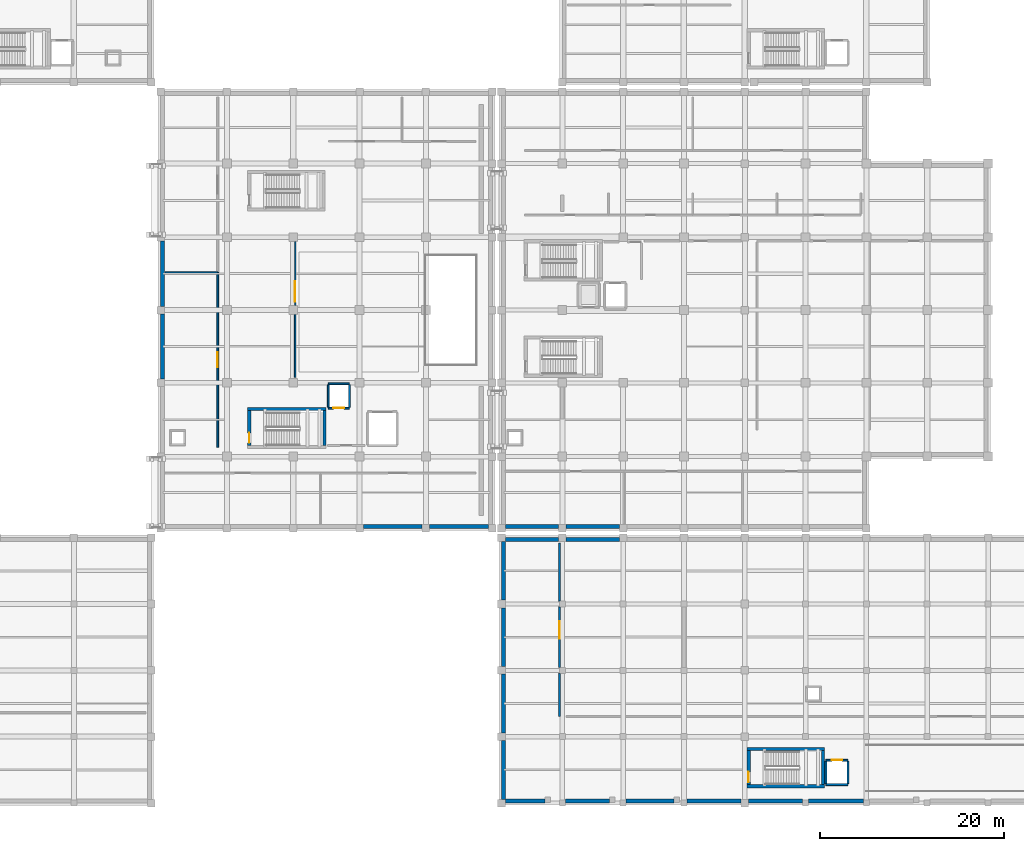
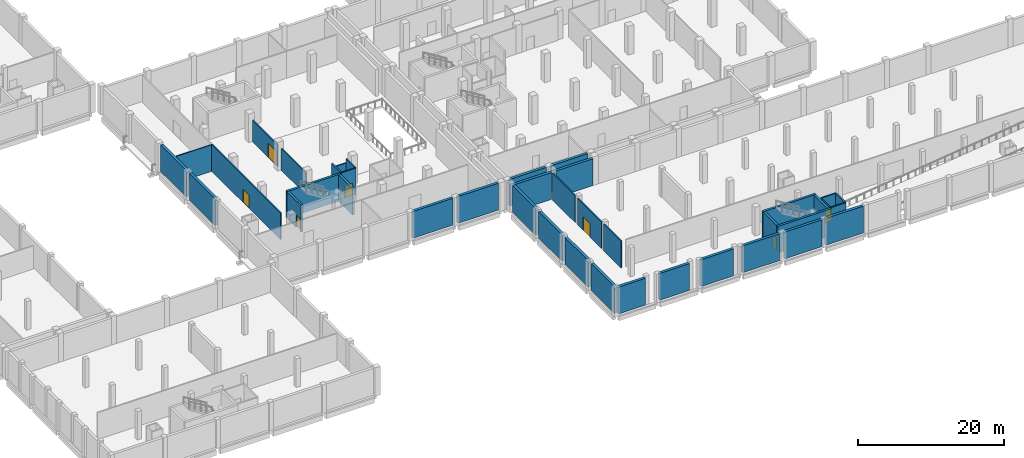
# One storey, part 13 of 31: 40 walls, 7 doors, 7 openings.
"""IFC4 building model written with IfcOpenShell, lengths in metres."""

from ifc_helpers import new_model, si_unit, direction, frame, frame_2d, origin, place, context, subcontext, project, spatial, rectangle, extrude, material, layer, layer_set, type_object, element, fill, save


model = new_model("IFC4")

# Units and contexts
model_context = context("Model", 3, precision=1e-05, world=origin(), true_north=direction((0.0, 1.0)))
body_context = subcontext(model_context, "Body", "Model", "MODEL_VIEW")
ifc_project = project(units=[si_unit("LENGTHUNIT", "METRE"), si_unit("AREAUNIT", "SQUARE_METRE"), si_unit("VOLUMEUNIT", "CUBIC_METRE"), si_unit("PLANEANGLEUNIT", "RADIAN"), si_unit("MASSUNIT", "GRAM", prefix="KILO")], contexts=[model_context])

# Site, building, storey
site_placement = place(None, origin())
site = spatial("IfcSite", under=ifc_project, at=site_placement, CompositionType="ELEMENT")
building_placement = place(site_placement, origin())
building = spatial("IfcBuilding", under=site, at=building_placement, Name="Kelarvand Opera House", CompositionType="ELEMENT")
storey_placement = place(building_placement, frame((0.0, 0.0, -4.800048828125)))
storey = spatial("IfcBuildingStorey", under=building, at=storey_placement, Name="B1", CompositionType="ELEMENT", Elevation=-4.800048828125)

# Walls
ifc_material_1 = material(Name="Acoustic double-stud gypsum partition")
ifc_layer_1 = layer(ifc_material_1, 0.14990234375, Name="Acoustic double-stud gypsum partition")
ifc_layer_set_1 = layer_set([ifc_layer_1], Name="Acoustic double-stud gypsum partition")
wall_type_1 = type_object("IfcWallType", Name="Acoustic Room Partition Wall 150", PredefinedType="PARTITIONING", material=ifc_layer_set_1)
wall_1_placement = place(storey_placement, frame((52.5, 66.60009765625, 0.0), z_axis=(0.0, 0.0, 1.0), x_axis=(1.0, 0.0, 0.0)))
element("IfcWall", 1, at=wall_1_placement, inside=storey, type_object=wall_type_1, Name="V2 B1 Partition Wall IW-150 (172)", PredefinedType="PARTITIONING", context=body_context, shape_type="SweptSolid", body=[
    extrude(rectangle(XDim=5.699951171875, YDim=0.14990234375, at=frame_2d((2.85009765625, 0.0))), origin(), (0.0, 0.0, 1.0), 4.47216796875),
])
ifc_material_2 = material(Name="Concrete C35/45", Category="concrete")
ifc_layer_2 = layer(ifc_material_2, 0.419921875, Name="Concrete C35/45", Category="concrete")
ifc_layer_set_2 = layer_set([ifc_layer_2], Name="Concrete C35/45")
wall_type_2 = type_object("IfcWallType", Name="Basement Perimeter Retaining Wall 420", PredefinedType="SHEAR", material=ifc_layer_set_2)
for number, where, z_axis, x_axis, name in (
    (2, (101.7900390625, 39.010009765625, 0.0), (0.0, 0.0, 1.0), (-1.0, 0.0, 0.0), "V1 B1 Retaining Wall 33"),
    (3, (95.18994140625, 39.010009765625, 0.0), (0.0, 0.0, 1.0), (-1.0, 0.0, 0.0), "V1 B1 Retaining Wall 34"),
):
    element("IfcWall", number, at=place(storey_placement, frame(where, z_axis=z_axis, x_axis=x_axis)), inside=storey, type_object=wall_type_2, Name=name, PredefinedType="SHEAR", context=body_context, shape_type="SweptSolid", body=[
        extrude(rectangle(XDim=5.780029296875, YDim=0.419921875, at=frame_2d((2.89013671875, 0.0))), origin(), (0.0, 0.0, 1.0), 4.5),
    ])
for number, where, z_axis, x_axis, name in (
    (4, (52.2099609375, 55.010009765625, 0.0), (0.0, 0.0, 1.0), (0.0, 1.0, 0.0), "V2 B1 Retaining Wall 211"),
    (5, (52.2099609375, 62.909912109375, 0.0), (0.0, 0.0, 1.0), (0.0, 1.0, 0.0), "V2 B1 Retaining Wall 212"),
):
    element("IfcWall", number, at=place(storey_placement, frame(where, z_axis=z_axis, x_axis=x_axis)), inside=storey, type_object=wall_type_2, Name=name, PredefinedType="SHEAR", context=body_context, shape_type="SweptSolid", body=[
        extrude(rectangle(XDim=7.080078125, YDim=0.419921875, at=frame_2d((3.5400390625, 0.0))), origin(), (0.0, 0.0, 1.0), 4.5),
    ])
wall_2_placement = place(storey_placement, frame((87.590087890625, 39.010009765625, 0.0), z_axis=(0.0, 0.0, 1.0), x_axis=(-1.0, 0.0, 0.0)))
element("IfcWall", 6, at=wall_2_placement, inside=storey, type_object=wall_type_2, Name="V2 B1 Retaining Wall 215", PredefinedType="SHEAR", context=body_context, shape_type="SweptSolid", body=[
    extrude(rectangle(XDim=6.380126953125, YDim=0.419921875, at=frame_2d((3.18994140625, 0.0))), origin(), (0.0, 0.0, 1.0), 4.5),
])
wall_3_placement = place(storey_placement, frame((80.389892578125, 39.010009765625, 0.0), z_axis=(0.0, 0.0, 1.0), x_axis=(-1.0, 0.0, 0.0)))
element("IfcWall", 7, at=wall_3_placement, inside=storey, type_object=wall_type_2, Name="V2 B1 Retaining Wall 216", PredefinedType="SHEAR", context=body_context, shape_type="SweptSolid", body=[
    extrude(rectangle(XDim=6.3798828125, YDim=0.419921875, at=frame_2d((3.18994140625, 0.0))), origin(), (0.0, 0.0, 1.0), 4.5),
])
for number, where, z_axis, x_axis, name in (
    (8, (89.409912109375, 37.590087890625, 0.0), (0.0, 0.0, 1.0), (1.0, 0.0, 0.0), "V6 B1 Retaining Wall 669"),
    (9, (96.010009765625, 37.590087890625, 0.0), (0.0, 0.0, 1.0), (1.0, 0.0, 0.0), "V6 B1 Retaining Wall 670"),
):
    element("IfcWall", number, at=place(storey_placement, frame(where, z_axis=z_axis, x_axis=x_axis)), inside=storey, type_object=wall_type_2, Name=name, PredefinedType="SHEAR", context=body_context, shape_type="SweptSolid", body=[
        extrude(rectangle(XDim=5.780029296875, YDim=0.419921875, at=frame_2d((2.89013671875, 0.0))), origin(), (0.0, 0.0, 1.0), 4.5),
    ])
wall_4_placement = place(storey_placement, frame((89.2099609375, 9.409912109375, 0.0), z_axis=(0.0, 0.0, 1.0), x_axis=(0.0, 1.0, 0.0)))
element("IfcWall", 10, at=wall_4_placement, inside=storey, type_object=wall_type_2, Name="V6 B1 Retaining Wall 681", PredefinedType="SHEAR", context=body_context, shape_type="SweptSolid", body=[
    extrude(rectangle(XDim=6.380126953125, YDim=0.419921875, at=frame_2d((3.18994140625, 0.0))), origin(), (0.0, 0.0, 1.0), 4.5),
])
for number, where, z_axis, x_axis, name in (
    (11, (89.2099609375, 16.610107421875, 0.0), (0.0, 0.0, 1.0), (0.0, 1.0, 0.0), "V6 B1 Retaining Wall 682"),
    (12, (89.2099609375, 23.81005859375, 0.0), (0.0, 0.0, 1.0), (0.0, 1.0, 0.0), "V6 B1 Retaining Wall 683"),
    (13, (89.2099609375, 31.010009765625, 0.0), (0.0, 0.0, 1.0), (0.0, 1.0, 0.0), "V6 B1 Retaining Wall 684"),
):
    element("IfcWall", number, at=place(storey_placement, frame(where, z_axis=z_axis, x_axis=x_axis)), inside=storey, type_object=wall_type_2, Name=name, PredefinedType="SHEAR", context=body_context, shape_type="SweptSolid", body=[
        extrude(rectangle(XDim=6.3798828125, YDim=0.419921875, at=frame_2d((3.18994140625, 0.0))), origin(), (0.0, 0.0, 1.0), 4.5),
    ])
wall_5_placement = place(storey_placement, frame((128.27490234375, 9.2099609375, 0.0), z_axis=(0.0, 0.0, 1.0), x_axis=(-1.0, 0.0, 0.0)))
element("IfcWall", 14, at=wall_5_placement, inside=storey, type_object=wall_type_2, Name="V6 B1 Retaining Wall 691", PredefinedType="SHEAR", context=body_context, shape_type="SweptSolid", body=[
    extrude(rectangle(XDim=5.949951171875, YDim=0.419921875, at=frame_2d((2.97509765625, 0.0))), origin(), (0.0, 0.0, 1.0), 4.5),
])
for number, where, z_axis, x_axis, name in (
    (15, (121.675048828125, 9.2099609375, 0.0), (0.0, 0.0, 1.0), (-1.0, 0.0, 0.0), "V6 B1 Retaining Wall 692"),
    (16, (114.989990234375, 9.2099609375, 0.0), (0.0, 0.0, 1.0), (-1.0, 0.0, 0.0), "V6 B1 Retaining Wall 693"),
):
    element("IfcWall", number, at=place(storey_placement, frame(where, z_axis=z_axis, x_axis=x_axis)), inside=storey, type_object=wall_type_2, Name=name, PredefinedType="SHEAR", context=body_context, shape_type="SweptSolid", body=[
        extrude(rectangle(XDim=5.864990234375, YDim=0.419921875, at=frame_2d((2.9326171875, 0.0))), origin(), (0.0, 0.0, 1.0), 4.5),
    ])
wall_6_placement = place(storey_placement, frame((107.699951171875, 9.2099609375, 0.0), z_axis=(0.0, 0.0, 1.0), x_axis=(-1.0, 0.0, 0.0)))
element("IfcWall", 17, at=wall_6_placement, inside=storey, type_object=wall_type_2, Name="V6 B1 Retaining Wall 694", PredefinedType="SHEAR", context=body_context, shape_type="SweptSolid", body=[
    extrude(rectangle(XDim=5.175048828125, YDim=0.419921875, at=frame_2d((2.58740234375, 0.0))), origin(), (0.0, 0.0, 1.0), 4.5),
])
wall_7_placement = place(storey_placement, frame((100.699951171875, 9.2099609375, 0.0), z_axis=(0.0, 0.0, 1.0), x_axis=(-1.0, 0.0, 0.0)))
element("IfcWall", 18, at=wall_7_placement, inside=storey, type_object=wall_type_2, Name="V6 B1 Retaining Wall 695", PredefinedType="SHEAR", context=body_context, shape_type="SweptSolid", body=[
    extrude(rectangle(XDim=4.77490234375, YDim=0.419921875, at=frame_2d((2.387451171875, 0.0))), origin(), (0.0, 0.0, 1.0), 4.5),
])
wall_8_placement = place(storey_placement, frame((93.699951171875, 9.2099609375, 0.0), z_axis=(0.0, 0.0, 1.0), x_axis=(-1.0, 0.0, 0.0)))
element("IfcWall", 19, at=wall_8_placement, inside=storey, type_object=wall_type_2, Name="V6 B1 Retaining Wall 696", PredefinedType="SHEAR", context=body_context, shape_type="SweptSolid", body=[
    extrude(rectangle(XDim=4.2900390625, YDim=0.419921875, at=frame_2d((2.14501953125, 0.0))), origin(), (0.0, 0.0, 1.0), 4.5),
])
ifc_material_3 = material(Name="Concrete C40/50", Category="concrete")
ifc_layer_3 = layer(ifc_material_3, 0.35009765625, Name="Concrete C40/50", Category="concrete")
ifc_layer_set_3 = layer_set([ifc_layer_3], Name="Concrete C40/50")
wall_type_3 = type_object("IfcWallType", Name="Core Stair and Lift Shear Wall 350", PredefinedType="SHEAR", material=ifc_layer_set_3)
wall_9_placement = place(storey_placement, frame((69.949951171875, 51.77490234375, 0.0), z_axis=(0.0, 0.0, 1.0), x_axis=(-1.0, 0.0, 0.0)))
element("IfcWall", 20, at=wall_9_placement, inside=storey, type_object=wall_type_3, Name="C2 Stair Core Shear Wall N B1", PredefinedType="SHEAR", context=body_context, shape_type="SweptSolid", body=[
    extrude(rectangle(XDim=8.5, YDim=0.35009765625, at=frame_2d((4.25, 0.0))), origin(), (0.0, 0.0, 1.0), 4.47998046875),
])

# Wall, opening, door
wall_10_placement = place(storey_placement, frame((61.625, 47.800048828125, 0.0), z_axis=(0.0, 0.0, 1.0), x_axis=(0.0, 1.0, 0.0)))
wall_10 = element("IfcWall", 21, at=wall_10_placement, inside=storey, type_object=wall_type_3, Name="C2 Stair Core Shear Wall W B1", PredefinedType="SHEAR", context=body_context, shape_type="SweptSolid", body=[
    extrude(rectangle(XDim=3.800048828125, YDim=0.35009765625, at=frame_2d((1.89990234375, 0.0))), origin(), (0.0, 0.0, 1.0), 4.47998046875),
])
opening_1_placement = place(wall_10_placement, frame((0.280029296875, 0.0, 0.0)))
opening_1 = element("IfcOpeningElement", 22, at=opening_1_placement, cuts=wall_10, Name="Opening FD-01", PredefinedType="OPENING", context=body_context, shape_type="SweptSolid", body=[
    extrude(rectangle(XDim=1.10009765625, YDim=2.080078125, at=frame_2d((0.550048828125, 1.0400390625))), frame((0.0, 0.18505859375, 0.0), z_axis=(0.0, -1.0, 0.0), x_axis=(1.0, 0.0, 0.0)), (0.0, 0.0, 1.0), 0.3701171875),
])
ifc_material_4 = material(Name="Fire-rated brushed stainless steel", Category="steel")
door_type_1 = type_object("IfcDoorType", Name="Steel Fire-Rated Stair and FF Lobby Door 1100x2080", OperationType="NOTDEFINED", PredefinedType="DOOR", material=ifc_material_4)
door_1_placement = place(opening_1_placement, origin())
door_1 = element("IfcDoor", 23, at=door_1_placement, inside=storey, type_object=door_type_1, Name="C2 Stair ST-02 Fire Door B1", OperationType="SINGLE_SWING_RIGHT", OverallHeight=2.080078125, OverallWidth=1.10009765625, PredefinedType="DOOR", context=body_context, shape_type="SweptSolid", body=[
    extrude(rectangle(XDim=1.10009765625, YDim=2.080078125, at=frame_2d((0.550048828125, 1.0400390625))), frame((0.0, 0.02490234375, 0.0), z_axis=(0.0, -1.0, 0.0), x_axis=(1.0, 0.0, 0.0)), (0.0, 0.0, 1.0), 0.050048828125),
])
fill(opening_1, door_1)

# Walls
wall_11_placement = place(storey_placement, frame((69.77490234375, 51.60009765625, 0.0), z_axis=(0.0, 0.0, 1.0), x_axis=(0.0, -1.0, 0.0)))
element("IfcWall", 24, at=wall_11_placement, inside=storey, type_object=wall_type_3, Name="C2 Stair Core Shear Wall E B1", PredefinedType="SHEAR", context=body_context, shape_type="SweptSolid", body=[
    extrude(rectangle(XDim=3.800048828125, YDim=0.35009765625, at=frame_2d((1.89990234375, 0.0))), origin(), (0.0, 0.0, 1.0), 4.47998046875),
])
for number, where, z_axis, x_axis, name in (
    (25, (115.64990234375, 10.824951171875, 0.0), (0.0, 0.0, 1.0), (1.0, 0.0, 0.0), "C8 Stair Core Shear Wall S B1"),
    (26, (124.050048828125, 14.875, 0.0), (0.0, 0.0, 1.0), (-1.0, 0.0, 0.0), "C8 Stair Core Shear Wall N B1"),
):
    element("IfcWall", number, at=place(storey_placement, frame(where, z_axis=z_axis, x_axis=x_axis)), inside=storey, type_object=wall_type_3, Name=name, PredefinedType="SHEAR", context=body_context, shape_type="SweptSolid", body=[
        extrude(rectangle(XDim=8.400146484375, YDim=0.35009765625, at=frame_2d((4.2001953125, 0.0))), origin(), (0.0, 0.0, 1.0), 4.5),
    ])

# Wall, opening, door
wall_12_placement = place(storey_placement, frame((115.824951171875, 11.0, 0.0), z_axis=(0.0, 0.0, 1.0), x_axis=(0.0, 1.0, 0.0)))
wall_12 = element("IfcWall", 27, at=wall_12_placement, inside=storey, type_object=wall_type_3, Name="C8 Stair Core Shear Wall W B1", PredefinedType="SHEAR", context=body_context, shape_type="SweptSolid", body=[
    extrude(rectangle(XDim=3.699951171875, YDim=0.35009765625, at=frame_2d((1.85009765625, 0.0))), origin(), (0.0, 0.0, 1.0), 4.5),
])
opening_2_placement = place(wall_12_placement, frame((0.280029296875, 0.0, 0.0)))
opening_2 = element("IfcOpeningElement", 28, at=opening_2_placement, cuts=wall_12, Name="Opening FD-01", PredefinedType="OPENING", context=body_context, shape_type="SweptSolid", body=[
    extrude(rectangle(XDim=1.10009765625, YDim=2.080078125, at=frame_2d((0.550048828125, 1.0400390625))), frame((0.0, 0.18505859375, 0.0), z_axis=(0.0, -1.0, 0.0), x_axis=(1.0, 0.0, 0.0)), (0.0, 0.0, 1.0), 0.3701171875),
])
door_2_placement = place(opening_2_placement, origin())
door_2 = element("IfcDoor", 29, at=door_2_placement, inside=storey, type_object=door_type_1, Name="C8 Stair ST-08 Fire Door B1", OperationType="SINGLE_SWING_LEFT", OverallHeight=2.080078125, OverallWidth=1.10009765625, PredefinedType="DOOR", context=body_context, shape_type="SweptSolid", body=[
    extrude(rectangle(XDim=1.10009765625, YDim=2.080078125, at=frame_2d((0.550048828125, 1.0400390625))), frame((0.0, 0.02490234375, 0.0), z_axis=(0.0, -1.0, 0.0), x_axis=(1.0, 0.0, 0.0)), (0.0, 0.0, 1.0), 0.050048828125),
])
fill(opening_2, door_2)

# Walls
wall_13_placement = place(storey_placement, frame((123.875, 14.699951171875, 0.0), z_axis=(0.0, 0.0, 1.0), x_axis=(0.0, -1.0, 0.0)))
element("IfcWall", 30, at=wall_13_placement, inside=storey, type_object=wall_type_3, Name="C8 Stair Core Shear Wall E B1", PredefinedType="SHEAR", context=body_context, shape_type="SweptSolid", body=[
    extrude(rectangle(XDim=3.699951171875, YDim=0.35009765625, at=frame_2d((1.85009765625, 0.0))), origin(), (0.0, 0.0, 1.0), 4.5),
])
ifc_layer_4 = layer(ifc_material_2, 0.179931640625, Name="Concrete C35/45", Category="concrete")
ifc_layer_set_4 = layer_set([ifc_layer_4], Name="Concrete C35/45")
wall_type_4 = type_object("IfcWallType", Name="Corridor Fire-Rated Partition Wall 180 EI90", PredefinedType="PARTITIONING", material=ifc_layer_set_4)
wall_14_placement = place(storey_placement, frame((66.60009765625, 55.199951171875, 0.0), z_axis=(0.0, 0.0, 1.0), x_axis=(0.0, 1.0, 0.0)))
element("IfcWall", 31, at=wall_14_placement, inside=storey, type_object=wall_type_4, Name="V2 B1 Partition Wall IW-90 (169)", PredefinedType="PARTITIONING", context=body_context, shape_type="SweptSolid", body=[
    extrude(rectangle(XDim=6.824951171875, YDim=0.179931640625, at=frame_2d((3.41259765625, 0.0))), origin(), (0.0, 0.0, 1.0), 3.6220703125),
])

# Wall, opening, door
wall_15_placement = place(storey_placement, frame((66.60009765625, 62.97509765625, 0.0), z_axis=(0.0, 0.0, 1.0), x_axis=(0.0, 1.0, 0.0)))
wall_15 = element("IfcWall", 32, at=wall_15_placement, inside=storey, type_object=wall_type_4, Name="V2 B1 Partition Wall IW-90 (170)", PredefinedType="PARTITIONING", context=body_context, shape_type="SweptSolid", body=[
    extrude(rectangle(XDim=6.949951171875, YDim=0.179931640625, at=frame_2d((3.47509765625, 0.0))), origin(), (0.0, 0.0, 1.0), 3.6220703125),
])
opening_3_placement = place(wall_15_placement, frame((0.43310546875, 0.0, 0.0)))
opening_3 = element("IfcOpeningElement", 33, at=opening_3_placement, cuts=wall_15, Name="Opening D-18", PredefinedType="OPENING", context=body_context, shape_type="SweptSolid", body=[
    extrude(rectangle(XDim=2.199951171875, YDim=2.320068359375, at=frame_2d((1.10009765625, 1.16015625))), frame((0.0, 0.10009765625, 0.0), z_axis=(0.0, -1.0, 0.0), x_axis=(1.0, 0.0, 0.0)), (0.0, 0.0, 1.0), 0.199951171875),
])
ifc_material_5 = material(Name="Acoustic walnut-veneered hardwood", Category="wood")
door_type_2 = type_object("IfcDoorType", Name="Main Concourse Glazed Double Door 2200x2320", OperationType="NOTDEFINED", PredefinedType="DOOR", material=ifc_material_5)
door_3_placement = place(opening_3_placement, origin())
door_3 = element("IfcDoor", 34, at=door_3_placement, inside=storey, type_object=door_type_2, Name="V2 B1 Door D-18 (70)", OperationType="DOUBLE_DOOR_SINGLE_SWING", OverallHeight=2.320068359375, OverallWidth=2.199951171875, PredefinedType="DOOR", context=body_context, shape_type="SweptSolid", body=[
    extrude(rectangle(XDim=2.199951171875, YDim=2.320068359375, at=frame_2d((1.10009765625, 1.16015625))), frame((0.0, 0.02490234375, 0.0), z_axis=(0.0, -1.0, 0.0), x_axis=(1.0, 0.0, 0.0)), (0.0, 0.0, 1.0), 0.050048828125),
])
fill(opening_3, door_3)

wall_16_placement = place(storey_placement, frame((58.199951171875, 47.60009765625, 0.0), z_axis=(0.0, 0.0, 1.0), x_axis=(0.0, 1.0, 0.0)))
wall_16 = element("IfcWall", 35, at=wall_16_placement, inside=storey, type_object=wall_type_4, Name="V2 B1 Partition Wall IW-90 (171)", PredefinedType="PARTITIONING", context=body_context, shape_type="SweptSolid", body=[
    extrude(rectangle(XDim=19.0, YDim=0.179931640625, at=frame_2d((9.5, 0.0))), origin(), (0.0, 0.0, 1.0), 4.47216796875),
])
opening_4_placement = place(wall_16_placement, frame((8.675048828125, 0.0, 0.0)))
opening_4 = element("IfcOpeningElement", 36, at=opening_4_placement, cuts=wall_16, Name="Opening D-14", PredefinedType="OPENING", context=body_context, shape_type="SweptSolid", body=[
    extrude(rectangle(XDim=1.64990234375, YDim=2.199951171875, at=frame_2d((0.824951171875, 1.10009765625))), frame((0.0, 0.10009765625, 0.0), z_axis=(0.0, -1.0, 0.0), x_axis=(1.0, 0.0, 0.0)), (0.0, 0.0, 1.0), 0.199951171875),
])
door_type_3 = type_object("IfcDoorType", Name="Foyer Lounge Double Door 1650x2200", OperationType="NOTDEFINED", PredefinedType="DOOR", material=ifc_material_5)
door_4_placement = place(opening_4_placement, origin())
door_4 = element("IfcDoor", 37, at=door_4_placement, inside=storey, type_object=door_type_3, Name="V2 B1 Door D-14 (71)", OperationType="DOUBLE_DOOR_SINGLE_SWING", OverallHeight=2.199951171875, OverallWidth=1.64990234375, PredefinedType="DOOR", context=body_context, shape_type="SweptSolid", body=[
    extrude(rectangle(XDim=1.64990234375, YDim=2.199951171875, at=frame_2d((0.824951171875, 1.10009765625))), frame((0.0, 0.02490234375, 0.0), z_axis=(0.0, -1.0, 0.0), x_axis=(1.0, 0.0, 0.0)), (0.0, 0.0, 1.0), 0.050048828125),
])
fill(opening_4, door_4)

# Wall
wall_17_placement = place(storey_placement, frame((95.300048828125, 18.39990234375, 0.0), z_axis=(0.0, 0.0, 1.0), x_axis=(0.0, 1.0, 0.0)))
element("IfcWall", 38, at=wall_17_placement, inside=storey, type_object=wall_type_4, Name="V6 B1 Partition Wall IW-90 (206)", PredefinedType="PARTITIONING", context=body_context, shape_type="SweptSolid", body=[
    extrude(rectangle(XDim=4.675048828125, YDim=0.179931640625, at=frame_2d((2.33740234375, 0.0))), origin(), (0.0, 0.0, 1.0), 4.491943359375),
])

# Wall, opening, door
wall_18_placement = place(storey_placement, frame((95.300048828125, 23.72509765625, 0.0), z_axis=(0.0, 0.0, 1.0), x_axis=(0.0, 1.0, 0.0)))
wall_18 = element("IfcWall", 39, at=wall_18_placement, inside=storey, type_object=wall_type_4, Name="V6 B1 Partition Wall IW-90 (207)", PredefinedType="PARTITIONING", context=body_context, shape_type="SweptSolid", body=[
    extrude(rectangle(XDim=6.5498046875, YDim=0.179931640625, at=frame_2d((3.27490234375, 0.0))), origin(), (0.0, 0.0, 1.0), 4.491943359375),
])
opening_5_placement = place(wall_18_placement, frame((3.125, 0.0, 0.0)))
opening_5 = element("IfcOpeningElement", 40, at=opening_5_placement, cuts=wall_18, Name="Opening D-16", PredefinedType="OPENING", context=body_context, shape_type="SweptSolid", body=[
    extrude(rectangle(XDim=1.89990234375, YDim=2.260009765625, at=frame_2d((0.949951171875, 1.1298828125))), frame((0.0, 0.10009765625, 0.0), z_axis=(0.0, -1.0, 0.0), x_axis=(1.0, 0.0, 0.0)), (0.0, 0.0, 1.0), 0.199951171875),
])
door_type_4 = type_object("IfcDoorType", Name="Orchestra Warm-Up Double Door 1900x2260", OperationType="NOTDEFINED", PredefinedType="DOOR", material=ifc_material_5)
door_5_placement = place(opening_5_placement, origin())
door_5 = element("IfcDoor", 41, at=door_5_placement, inside=storey, type_object=door_type_4, Name="V6 B1 Door D-16 (90)", OperationType="DOUBLE_DOOR_SINGLE_SWING", OverallHeight=2.260009765625, OverallWidth=1.89990234375, PredefinedType="DOOR", context=body_context, shape_type="SweptSolid", body=[
    extrude(rectangle(XDim=1.89990234375, YDim=2.260009765625, at=frame_2d((0.949951171875, 1.1298828125))), frame((0.0, 0.02490234375, 0.0), z_axis=(0.0, -1.0, 0.0), x_axis=(1.0, 0.0, 0.0)), (0.0, 0.0, 1.0), 0.050048828125),
])
fill(opening_5, door_5)

# Wall
wall_19_placement = place(storey_placement, frame((95.300048828125, 30.925048828125, 0.0), z_axis=(0.0, 0.0, 1.0), x_axis=(0.0, 1.0, 0.0)))
element("IfcWall", 42, at=wall_19_placement, inside=storey, type_object=wall_type_4, Name="V6 B1 Partition Wall IW-90 (208)", PredefinedType="PARTITIONING", context=body_context, shape_type="SweptSolid", body=[
    extrude(rectangle(XDim=6.27490234375, YDim=0.179931640625, at=frame_2d((3.137451171875, 0.0))), origin(), (0.0, 0.0, 1.0), 4.491943359375),
])

# Wall, opening, door
ifc_layer_5 = layer(ifc_material_2, 0.199951171875, Name="Concrete C35/45", Category="concrete")
ifc_layer_set_5 = layer_set([ifc_layer_5], Name="Concrete C35/45")
wall_type_5 = type_object("IfcWallType", Name="Lift and Riser Shaft Enclosure Wall 200 EI120", PredefinedType="PARTITIONING", material=ifc_layer_set_5)
wall_20_placement = place(storey_placement, frame((70.199951171875, 51.85009765625, 0.0), z_axis=(0.0, 0.0, 1.0), x_axis=(1.0, 0.0, 0.0)))
wall_20 = element("IfcWall", 43, at=wall_20_placement, inside=storey, type_object=wall_type_5, Name="V2 B1 Partition Wall SW-200 (119)", PredefinedType="PARTITIONING", context=body_context, shape_type="SweptSolid", body=[
    extrude(rectangle(XDim=2.300048828125, YDim=0.199951171875, at=frame_2d((1.14990234375, 0.0))), origin(), (0.0, 0.0, 1.0), 4.47216796875),
])
opening_6_placement = place(wall_20_placement, frame((0.550048828125, 0.0, 0.0)))
opening_6 = element("IfcOpeningElement", 44, at=opening_6_placement, cuts=wall_20, Name="Opening LD-02", PredefinedType="OPENING", context=body_context, shape_type="SweptSolid", body=[
    extrude(rectangle(XDim=1.199951171875, YDim=2.14990234375, at=frame_2d((0.60009765625, 1.074951171875))), frame((0.0, 0.10986328125, 0.0), z_axis=(0.0, -1.0, 0.0), x_axis=(1.0, 0.0, 0.0)), (0.0, 0.0, 1.0), 0.219970703125),
])
door_type_5 = type_object("IfcDoorType", Name="Firefighting Lift Sliding Landing Door 1200x2150", OperationType="SLIDING_TO_LEFT", PredefinedType="DOOR", material=ifc_material_4)
door_6_placement = place(opening_6_placement, origin())
door_6 = element("IfcDoor", 45, at=door_6_placement, inside=storey, type_object=door_type_5, Name="V2 B1 Door LD-02 (51)", OperationType="SLIDING_TO_LEFT", OverallHeight=2.14990234375, OverallWidth=1.199951171875, PredefinedType="DOOR", context=body_context, shape_type="SweptSolid", body=[
    extrude(rectangle(XDim=1.199951171875, YDim=2.14990234375, at=frame_2d((0.60009765625, 1.074951171875))), frame((0.0, 0.02490234375, 0.0), z_axis=(0.0, -1.0, 0.0), x_axis=(1.0, 0.0, 0.0)), (0.0, 0.0, 1.0), 0.050048828125),
])
fill(opening_6, door_6)

# Walls
wall_21_placement = place(storey_placement, frame((72.5, 54.5, 0.0), z_axis=(0.0, 0.0, 1.0), x_axis=(-1.0, 0.0, 0.0)))
element("IfcWall", 46, at=wall_21_placement, inside=storey, type_object=wall_type_5, Name="V2 B1 Partition Wall SW-200 (120)", PredefinedType="PARTITIONING", context=body_context, shape_type="SweptSolid", body=[
    extrude(rectangle(XDim=2.300048828125, YDim=0.199951171875, at=frame_2d((1.14990234375, 0.0))), origin(), (0.0, 0.0, 1.0), 3.72216796875),
])
for number, where, z_axis, x_axis, name in (
    (47, (70.199951171875, 51.949951171875, 0.0), (0.0, 0.0, 1.0), (0.0, 1.0, 0.0), "V2 B1 Partition Wall SW-200 (121)"),
    (48, (72.5, 54.39990234375, 0.0), (0.0, 0.0, 1.0), (0.0, -1.0, 0.0), "V2 B1 Partition Wall SW-200 (122)"),
):
    element("IfcWall", number, at=place(storey_placement, frame(where, z_axis=z_axis, x_axis=x_axis)), inside=storey, type_object=wall_type_5, Name=name, PredefinedType="PARTITIONING", context=body_context, shape_type="SweptSolid", body=[
        extrude(rectangle(XDim=2.449951171875, YDim=0.199951171875, at=frame_2d((1.22509765625, 0.0))), origin(), (0.0, 0.0, 1.0), 4.47216796875),
    ])
wall_22_placement = place(storey_placement, frame((124.199951171875, 11.0, 0.0), z_axis=(0.0, 0.0, 1.0), x_axis=(1.0, 0.0, 0.0)))
element("IfcWall", 49, at=wall_22_placement, inside=storey, type_object=wall_type_5, Name="V6 B1 Partition Wall SW-200 (139)", PredefinedType="PARTITIONING", context=body_context, shape_type="SweptSolid", body=[
    extrude(rectangle(XDim=2.400146484375, YDim=0.199951171875, at=frame_2d((1.2001953125, 0.0))), origin(), (0.0, 0.0, 1.0), 4.491943359375),
])

# Wall, opening, door
wall_23_placement = place(storey_placement, frame((126.60009765625, 13.64990234375, 0.0), z_axis=(0.0, 0.0, 1.0), x_axis=(-1.0, 0.0, 0.0)))
wall_23 = element("IfcWall", 50, at=wall_23_placement, inside=storey, type_object=wall_type_5, Name="V6 B1 Partition Wall SW-200 (140)", PredefinedType="PARTITIONING", context=body_context, shape_type="SweptSolid", body=[
    extrude(rectangle(XDim=2.400146484375, YDim=0.199951171875, at=frame_2d((1.2001953125, 0.0))), origin(), (0.0, 0.0, 1.0), 4.491943359375),
])
opening_7_placement = place(wall_23_placement, frame((0.64990234375, 0.0, 0.0)))
opening_7 = element("IfcOpeningElement", 51, at=opening_7_placement, cuts=wall_23, Name="Opening LD-01", PredefinedType="OPENING", context=body_context, shape_type="SweptSolid", body=[
    extrude(rectangle(XDim=1.10009765625, YDim=2.14990234375, at=frame_2d((0.550048828125, 1.074951171875))), frame((0.0, 0.10986328125, 0.0), z_axis=(0.0, -1.0, 0.0), x_axis=(1.0, 0.0, 0.0)), (0.0, 0.0, 1.0), 0.219970703125),
])
door_type_6 = type_object("IfcDoorType", Name="Passenger Lift Sliding Landing Door 1100x2150", OperationType="SLIDING_TO_LEFT", PredefinedType="DOOR", material=ifc_material_4)
door_7_placement = place(opening_7_placement, origin())
door_7 = element("IfcDoor", 52, at=door_7_placement, inside=storey, type_object=door_type_6, Name="V6 B1 Door LD-01 (57)", OperationType="SLIDING_TO_LEFT", OverallHeight=2.14990234375, OverallWidth=1.10009765625, PredefinedType="DOOR", context=body_context, shape_type="SweptSolid", body=[
    extrude(rectangle(XDim=1.10009765625, YDim=2.14990234375, at=frame_2d((0.550048828125, 1.074951171875))), frame((0.0, 0.02490234375, 0.0), z_axis=(0.0, -1.0, 0.0), x_axis=(1.0, 0.0, 0.0)), (0.0, 0.0, 1.0), 0.050048828125),
])
fill(opening_7, door_7)

# Walls
for number, where, z_axis, x_axis, name in (
    (53, (124.199951171875, 11.10009765625, 0.0), (0.0, 0.0, 1.0), (0.0, 1.0, 0.0), "V6 B1 Partition Wall SW-200 (141)"),
    (54, (126.60009765625, 13.550048828125, 0.0), (0.0, 0.0, 1.0), (0.0, -1.0, 0.0), "V6 B1 Partition Wall SW-200 (142)"),
):
    element("IfcWall", number, at=place(storey_placement, frame(where, z_axis=z_axis, x_axis=x_axis)), inside=storey, type_object=wall_type_5, Name=name, PredefinedType="PARTITIONING", context=body_context, shape_type="SweptSolid", body=[
        extrude(rectangle(XDim=2.449951171875, YDim=0.199951171875, at=frame_2d((1.22509765625, 0.0))), origin(), (0.0, 0.0, 1.0), 4.491943359375),
    ])

save(model, "model.ifc")
